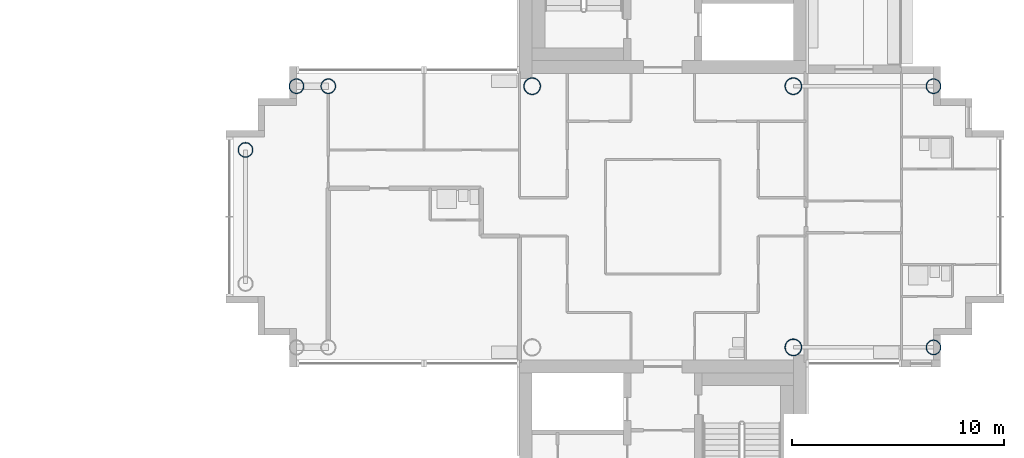
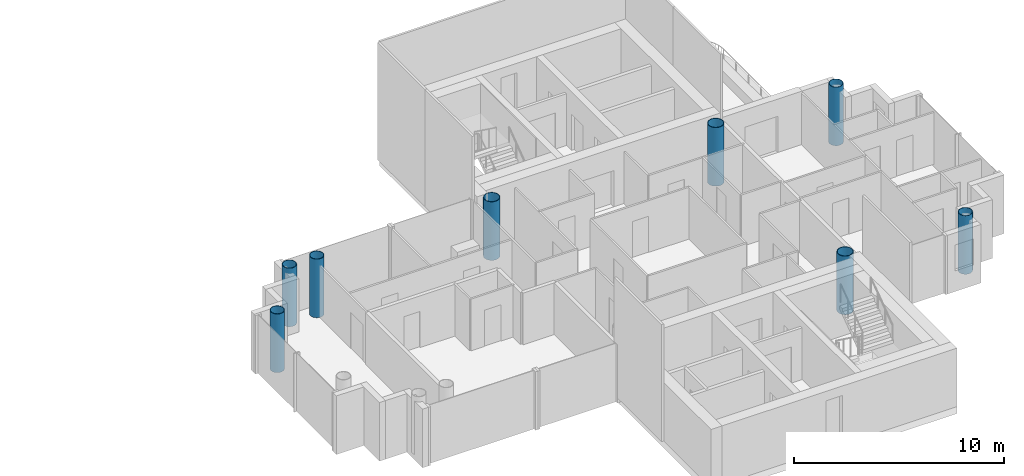
# One storey, part 2 of 18: 8 columns.
"""IFC4 building model written with IfcOpenShell, lengths in metres."""

import ifcopenshell
import ifcopenshell.guid

model = None  # the IFC model being written
_history = None  # IfcOwnerHistory: only IFC2X3 demands one
_inside = {}  # id of a spatial element -> (the spatial element, [elements in it])
_under = {}  # id of a project, library or spatial element -> (it, [spatial elements below it])
_declared = {}  # id of a project -> (the project, [libraries it declares])
_typed = {}  # id of a type object -> (the type object, [elements of that type])
_made_of = {}  # id of a material, layer set ... -> (it, [elements and type objects made of it])


def new_model(schema):
    """Start an empty IFC model of exactly this schema.

    Asked for "IFC4X3", IfcOpenShell would pick the latest addendum, in which some entities
    have other attributes; the version numbers below select the first issue.
    IFC2X3 requires an IfcOwnerHistory on every rooted entity: one is made here for all.
    """
    global model, _history
    if schema == "IFC4X3":
        model = ifcopenshell.file(schema_version=(4, 3, 0, 0))
    else:
        model = ifcopenshell.file(schema=schema)
    _inside.clear()
    _under.clear()
    _declared.clear()
    _typed.clear()
    _made_of.clear()
    _history = None
    if model.schema == "IFC2X3":
        org = make("IfcOrganization", Name="unknown")
        user = make(
            "IfcPersonAndOrganization",
            ThePerson=make("IfcPerson", FamilyName="unknown"),
            TheOrganization=org,
        )
        app = make(
            "IfcApplication",
            ApplicationDeveloper=org,
            Version="unknown",
            ApplicationFullName="unknown",
            ApplicationIdentifier="unknown",
        )
        _history = make(
            "IfcOwnerHistory",
            OwningUser=user,
            OwningApplication=app,
            ChangeAction="ADDED",
            CreationDate=0,
        )
    return model


def make(cls, **values):
    """One entity of the class cls with the attributes given. An attribute that is None is left unset."""
    return model.create_entity(
        cls, **{name: value for name, value in values.items() if value is not None}
    )


def rooted(cls, **values):
    """An entity with a GlobalId (a new one), such as an element, a storey or a relation."""
    return make(cls, GlobalId=ifcopenshell.guid.new(), OwnerHistory=_history, **values)


def si_unit(unit_type, name, prefix=None):
    """IfcSIUnit, for example si_unit("LENGTHUNIT", "METRE", prefix="MILLI")."""
    return make("IfcSIUnit", UnitType=unit_type, Prefix=prefix, Name=name)


def assignment(units):
    """IfcUnitAssignment: the units of a project."""
    return None if units is None else make("IfcUnitAssignment", Units=units)


def point(xyz):
    """IfcCartesianPoint."""
    return None if xyz is None else make("IfcCartesianPoint", Coordinates=xyz)


def direction(xyz):
    """IfcDirection."""
    return None if xyz is None else make("IfcDirection", DirectionRatios=xyz)


def frame(location, z_axis=None, x_axis=None):
    """IfcAxis2Placement3D, a coordinate frame: its origin and axes. An axis left out is left unset."""
    return make(
        "IfcAxis2Placement3D",
        Location=point(location),
        Axis=direction(z_axis),
        RefDirection=direction(x_axis),
    )


def frame_2d(location, x_axis=None):
    """IfcAxis2Placement2D, a coordinate frame in the plane: its origin and x axis."""
    return make(
        "IfcAxis2Placement2D", Location=point(location), RefDirection=direction(x_axis)
    )


def origin():
    """The frame at (0, 0, 0) with its axes left unset."""
    return frame((0.0, 0.0, 0.0))


def origin_2d():
    """The frame at (0, 0) in the plane with its x axis left unset."""
    return frame_2d((0.0, 0.0))


def place(relative_to, where):
    """IfcLocalPlacement: puts the frame where relative to a parent placement (None: the world)."""
    return make(
        "IfcLocalPlacement", PlacementRelTo=relative_to, RelativePlacement=where
    )


def context(
    kind, dimensions, precision=None, world=None, true_north=None, identifier=None
):
    """IfcGeometricRepresentationContext, for example the 3D "Model" context."""
    return make(
        "IfcGeometricRepresentationContext",
        ContextIdentifier=identifier,
        ContextType=kind,
        CoordinateSpaceDimension=dimensions,
        Precision=precision,
        WorldCoordinateSystem=world,
        TrueNorth=true_north,
    )


def subcontext(parent, identifier, kind, view, scale=None):
    """IfcGeometricRepresentationSubContext, for example "Body" below "Model"."""
    return make(
        "IfcGeometricRepresentationSubContext",
        ContextIdentifier=identifier,
        ContextType=kind,
        ParentContext=parent,
        TargetScale=scale,
        TargetView=view,
    )


def project(units=None, contexts=None):
    """IfcProject with its units and contexts."""
    return rooted(
        "IfcProject",
        Name="project",
        RepresentationContexts=contexts,
        UnitsInContext=assignment(units),
    )


def spatial(cls, under=None, at=None, **own):
    """A site, building, storey or space (cls), placed at a placement, below another one or the project."""
    s = rooted(cls, ObjectPlacement=at, **own)
    if under is not None:
        _under.setdefault(under.id(), (under, []))[1].append(s)
    return s


def profile(cls, at=None, kind="AREA", **sizes):
    """A parametric profile (cls). Its sizes go by their IFC names, for example OverallWidth=200.0."""
    return make(cls, ProfileType=kind, Position=at, **sizes)


def hollow_circle(**sizes):
    """IfcCircleHollowProfileDef."""
    return profile("IfcCircleHollowProfileDef", **sizes)


def extrude(swept, where, along, depth):
    """IfcExtrudedAreaSolid: the profile swept, set in the frame where, extruded along a direction by depth."""
    return make(
        "IfcExtrudedAreaSolid",
        SweptArea=swept,
        Position=where,
        ExtrudedDirection=direction(along),
        Depth=depth,
    )


def shape(context_of_items, identifier, shape_type, items):
    """IfcShapeRepresentation: the items that make up one representation, for example the "Body"."""
    return make(
        "IfcShapeRepresentation",
        ContextOfItems=context_of_items,
        RepresentationIdentifier=identifier,
        RepresentationType=shape_type,
        Items=items,
    )


def material(Name=None, Category=None):
    """IfcMaterial."""
    return make("IfcMaterial", Name=Name, Category=Category)


def material_profile(
    of_material, cross_section, Name=None, Category=None, Priority=None
):
    """IfcMaterialProfile: a cross section and its material."""
    return make(
        "IfcMaterialProfile",
        Name=Name,
        Material=of_material,
        Profile=cross_section,
        Priority=Priority,
        Category=Category,
    )


def profile_set(profiles, Name=None, composite=None):
    """IfcMaterialProfileSet."""
    return make(
        "IfcMaterialProfileSet",
        Name=Name,
        MaterialProfiles=profiles,
        CompositeProfile=composite,
    )


def made_of(thing, what):
    """Note that an element or type object is made of a material, layer set ...; save() writes the relation."""
    if what is not None:
        _made_of.setdefault(what.id(), (what, []))[1].append(thing)
    return thing


def type_object(cls, material=None, **own):
    """A type object (cls), such as IfcWallType, which elements share."""
    return made_of(rooted(cls, **own), material)


def element(
    cls,
    number,
    at=None,
    inside=None,
    cuts=None,
    type_object=None,
    material=None,
    context=None,
    identifier="Body",
    shape_type=None,
    held_by="IfcProductDefinitionShape",
    body=None,
    shapes=None,
    **own,
):
    """One element of the class cls, such as IfcWall. Its Tag is "e" and its number.

    at: its placement. inside: the storey or other place that contains it. cuts: it is an
    opening in that element (IfcRelVoidsElement). A single representation is given by context,
    identifier, shape_type and body (its items); several are given by shapes. held_by: the class
    of the entity that holds the representations. save() writes the other relations.
    """
    e = rooted(cls, Tag="e%d" % number, ObjectPlacement=at, **own)
    if body is not None:
        shapes = [shape(context, identifier, shape_type, body)]
    if shapes is not None:
        e.Representation = make(held_by, Representations=shapes)
    if inside is not None:
        _inside.setdefault(inside.id(), (inside, []))[1].append(e)
    if cuts is not None:
        rooted(
            "IfcRelVoidsElement", RelatingBuildingElement=cuts, RelatedOpeningElement=e
        )
    if type_object is not None:
        _typed.setdefault(type_object.id(), (type_object, []))[1].append(e)
    return made_of(e, material)


def aggregate(whole, parts):
    """IfcRelAggregates: a whole, such as a stair, and the parts it consists of."""
    return rooted("IfcRelAggregates", RelatingObject=whole, RelatedObjects=parts)


def save(model, path):
    """Write the relations noted so far, then the file.

    IfcRelAggregates (storeys below a building ...), IfcRelContainedInSpatialStructure (elements
    in a storey), IfcRelDefinesByType, IfcRelAssociatesMaterial and IfcRelDeclares: one each for
    every whole, place, type object, material and project.
    """
    for whole, parts in _under.values():
        aggregate(whole, parts)
    for where, things in _inside.values():
        rooted(
            "IfcRelContainedInSpatialStructure",
            RelatedElements=things,
            RelatingStructure=where,
        )
    for kind, things in _typed.values():
        rooted("IfcRelDefinesByType", RelatedObjects=things, RelatingType=kind)
    for what, things in _made_of.values():
        rooted("IfcRelAssociatesMaterial", RelatedObjects=things, RelatingMaterial=what)
    for by, libraries in _declared.values():
        rooted("IfcRelDeclares", RelatingContext=by, RelatedDefinitions=libraries)
    model.write(path)


model = new_model("IFC4")

# Units and contexts
model_context = context("Model", 3, precision=1e-05, world=origin(), true_north=direction((0.0, 1.0)))
body_context = subcontext(model_context, "Body", "Model", "MODEL_VIEW")
ifc_project = project(units=[si_unit("LENGTHUNIT", "METRE"), si_unit("AREAUNIT", "SQUARE_METRE"), si_unit("VOLUMEUNIT", "CUBIC_METRE"), si_unit("PLANEANGLEUNIT", "RADIAN"), si_unit("MASSUNIT", "GRAM", prefix="KILO")], contexts=[model_context])

# Site, building, storey
site_placement = place(None, origin())
site = spatial("IfcSite", under=ifc_project, at=site_placement, CompositionType="ELEMENT")
building_placement = place(site_placement, origin())
building = spatial("IfcBuilding", under=site, at=building_placement, Name="Ipe Terrace Towers", CompositionType="ELEMENT")
storey_placement = place(building_placement, frame((0.0, 0.0, 192.60009765625)))
storey = spatial("IfcBuildingStorey", under=building, at=storey_placement, Name="L53", CompositionType="ELEMENT", Elevation=192.60009765625)

# Columns
ifc_material_1 = material(Name="Steel S355 tube with Concrete C60/75 fill", Category="concrete")
ifc_material_profile_1 = material_profile(ifc_material_1, hollow_circle(Radius=0.35009765625, WallThickness=0.02490234375, at=origin_2d()), Name="CHS-700x25")
ifc_profile_set_1 = profile_set([ifc_material_profile_1], Name="Steel S355 tube with Concrete C60/75 fill")
column_type_1 = type_object("IfcColumnType", Name="CH08 COLUMN CHS-700x25", PredefinedType="COLUMN", material=ifc_profile_set_1)
for number, where, z_axis, x_axis, name in (
    (1, (20.25, 6.14990234375, 0.0), (0.0, 0.0, 1.0), (1.0, 0.0, 0.0), "Column T2-C-B03"),
    (2, (18.75, 6.14990234375, 0.0), (0.0, 0.0, 1.0), (1.0, 0.0, 0.0), "Column T2-C-B05"),
    (3, (16.35009765625, 3.14990234375, 0.0), (0.0, 0.0, 1.0), (1.0, 0.0, 0.0), "Column T2-C-B07"),
    (4, (48.75, -6.14990234375, 0.0), (0.0, 0.0, 1.0), (1.0, 0.0, 0.0), "Column T2-C-D01"),
    (5, (48.75, 6.14990234375, 0.0), (0.0, 0.0, 1.0), (1.0, 0.0, 0.0), "Column T2-C-D02"),
):
    element("IfcColumn", number, at=place(storey_placement, frame(where, z_axis=z_axis, x_axis=x_axis)), inside=storey, type_object=column_type_1, Name=name, PredefinedType="COLUMN", context=body_context, shape_type="SweptSolid", body=[
        extrude(hollow_circle(Radius=0.35009765625, WallThickness=0.02490234375, at=origin_2d()), origin(), (0.0, 0.0, 1.0), 3.39990234375),
    ])
ifc_material_2 = material(Name="Steel S355 tube with Concrete C60/75 fill", Category="concrete")
ifc_material_profile_2 = material_profile(ifc_material_2, hollow_circle(Radius=0.39990234375, WallThickness=0.028076171875, at=origin_2d()), Name="CHS-800x28")
ifc_profile_set_2 = profile_set([ifc_material_profile_2], Name="Steel S355 tube with Concrete C60/75 fill")
column_type_2 = type_object("IfcColumnType", Name="CH09 COLUMN CHS-800x28", PredefinedType="COLUMN", material=ifc_profile_set_2)
for number, where, z_axis, x_axis, name in (
    (6, (42.14990234375, -6.14990234375, 0.0), (0.0, 0.0, 1.0), (1.0, 0.0, 0.0), "Column T2-C-E01"),
    (7, (42.14990234375, 6.14990234375, 0.0), (0.0, 0.0, 1.0), (1.0, 0.0, 0.0), "Column T2-C-E02"),
    (8, (29.85009765625, 6.14990234375, 0.0), (0.0, 0.0, 1.0), (1.0, 0.0, 0.0), "Column T2-C-E03"),
):
    element("IfcColumn", number, at=place(storey_placement, frame(where, z_axis=z_axis, x_axis=x_axis)), inside=storey, type_object=column_type_2, Name=name, PredefinedType="COLUMN", context=body_context, shape_type="SweptSolid", body=[
        extrude(hollow_circle(Radius=0.39990234375, WallThickness=0.028076171875, at=origin_2d()), origin(), (0.0, 0.0, 1.0), 3.39990234375),
    ])

save(model, "model.ifc")
